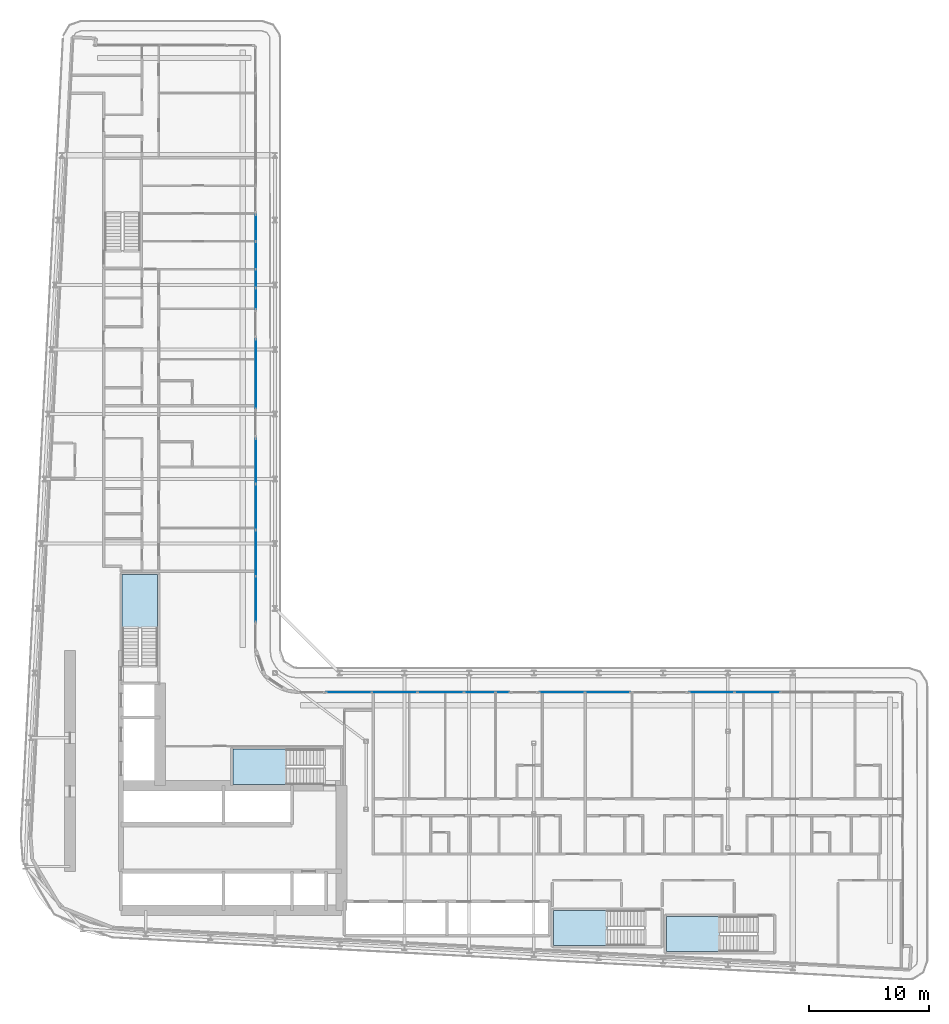
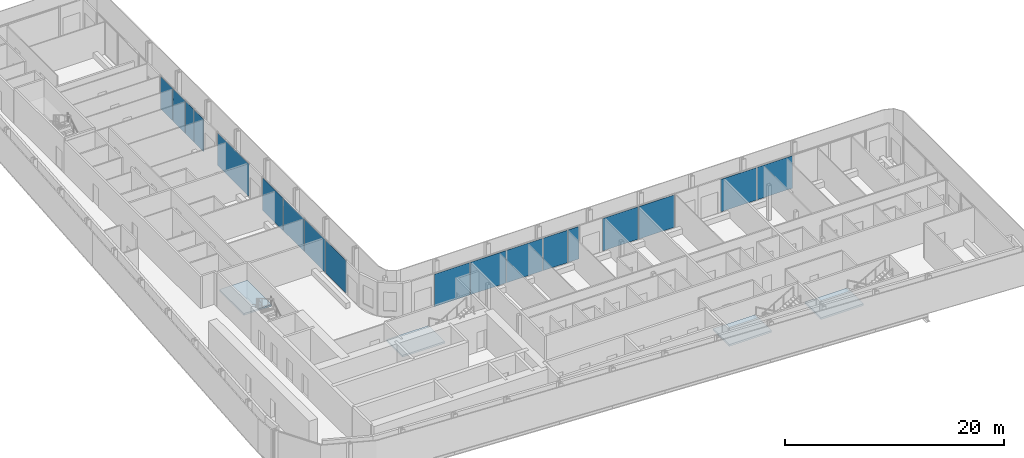
# One storey, part 10 of 28: 18 plates, 4 slabs, 13 elements without a shape of their own.
"""IFC4 building model written with IfcOpenShell, lengths in metres."""

from ifc_helpers import new_model, si_unit, direction, frame, origin, origin_2d, place, context, subcontext, project, spatial, polyline, rectangle, outline, extrude, material, layer, layer_set, type_object, element, aggregate, save


model = new_model("IFC4")

# Units and contexts
model_context = context("Model", 3, precision=1e-05, world=origin(), true_north=direction((0.0, 1.0)))
body_context = subcontext(model_context, "Body", "Model", "MODEL_VIEW")
ifc_project = project(units=[si_unit("LENGTHUNIT", "METRE"), si_unit("AREAUNIT", "SQUARE_METRE"), si_unit("VOLUMEUNIT", "CUBIC_METRE"), si_unit("PLANEANGLEUNIT", "RADIAN"), si_unit("MASSUNIT", "GRAM", prefix="KILO")], contexts=[model_context])

# Site, building, storey
site_placement = place(None, origin())
site = spatial("IfcSite", under=ifc_project, at=site_placement, CompositionType="ELEMENT")
building_placement = place(site_placement, origin())
building = spatial("IfcBuilding", under=site, at=building_placement, Name="Kheshtan School and Residences Tower", CompositionType="ELEMENT")
storey_placement = place(building_placement, frame((0.0, 0.0, 140.89990234375)))
storey = spatial("IfcBuildingStorey", under=building, at=storey_placement, Name="L33", CompositionType="ELEMENT", Elevation=140.89990234375)

# Curtain wall, plates
ifc_material_1 = material(Name="Clear low-e glass in thermally broken aluminium frame", Category="aluminium")
ifc_layer_1 = layer(ifc_material_1, 0.199951171875)
ifc_layer_set_1 = layer_set([ifc_layer_1], Name="Curtain wall CW-L")
curtain_wall_type = type_object("IfcCurtainWallType", Name="Curtain wall CW-L", PredefinedType="NOTDEFINED", material=ifc_layer_set_1)
curtain_wall_1_placement = place(storey_placement, origin())
curtain_wall_1 = element("IfcCurtainWall", 1, at=curtain_wall_1_placement, inside=storey, type_object=curtain_wall_type, Name="Curtain wall CWL8b", PredefinedType="NOTDEFINED")
ifc_layer_2 = layer(ifc_material_1, 0.031982421875)
ifc_layer_set_2 = layer_set([ifc_layer_2], Name="CW-L glass panel")
plate_type = type_object("IfcPlateType", Name="CW-L glass panel", PredefinedType="CURTAIN_PANEL", material=ifc_layer_set_2)
plate_1_placement = place(storey_placement, frame((46.0, 82.75048828125, 0.000244140625), z_axis=(0.0, 0.0, 1.0), x_axis=(0.0, -1.0, 0.0)))
plate_1 = element("IfcPlate", 2, at=plate_1_placement, type_object=plate_type, Name="CWL8b panel 1.1", PredefinedType="CURTAIN_PANEL", context=body_context, shape_type="SweptSolid", body=[
    extrude(rectangle(XDim=2.19091796875, YDim=0.031982421875, at=origin_2d()), origin(), (0.0, 0.0, 1.0), 3.6298828125),
])
plate_2_placement = place(storey_placement, frame((46.0, 80.46240234375, 0.000244140625), z_axis=(0.0, 0.0, 1.0), x_axis=(0.0, -1.0, 0.0)))
plate_2 = element("IfcPlate", 3, at=plate_2_placement, type_object=plate_type, Name="CWL8b panel 2.1", PredefinedType="CURTAIN_PANEL", context=body_context, shape_type="SweptSolid", body=[
    extrude(rectangle(XDim=2.264892578125, YDim=0.031982421875, at=origin_2d()), origin(), (0.0, 0.0, 1.0), 3.6298828125),
])
plate_3_placement = place(storey_placement, frame((46.0, 78.52099609375, 0.000244140625), z_axis=(0.0, 0.0, 1.0), x_axis=(0.0, -1.0, 0.0)))
plate_3 = element("IfcPlate", 4, at=plate_3_placement, type_object=plate_type, Name="CWL8b panel 3.1", PredefinedType="CURTAIN_PANEL", context=body_context, shape_type="SweptSolid", body=[
    extrude(rectangle(XDim=1.498046875, YDim=0.031982421875, at=origin_2d()), origin(), (0.0, 0.0, 1.0), 3.6298828125),
])
aggregate(curtain_wall_1, [plate_1, plate_2, plate_3])

# Curtain wall, plate
curtain_wall_2_placement = place(storey_placement, origin())
curtain_wall_2 = element("IfcCurtainWall", 5, at=curtain_wall_2_placement, inside=storey, type_object=curtain_wall_type, Name="Curtain wall CWL8e", PredefinedType="NOTDEFINED")
plate_4_placement = place(storey_placement, frame((46.0, 76.842041015625, 0.000244140625), z_axis=(0.0, 0.0, 1.0), x_axis=(0.0, -1.0, 0.0)))
plate_4 = element("IfcPlate", 6, at=plate_4_placement, type_object=plate_type, Name="CWL8e panel 1.1", PredefinedType="CURTAIN_PANEL", context=body_context, shape_type="SweptSolid", body=[
    extrude(rectangle(XDim=1.739990234375, YDim=0.031982421875, at=origin_2d()), origin(), (0.0, 0.0, 1.0), 3.6298828125),
])
aggregate(curtain_wall_2, [plate_4])

curtain_wall_3_placement = place(storey_placement, origin())
curtain_wall_3 = element("IfcCurtainWall", 7, at=curtain_wall_3_placement, inside=storey, type_object=curtain_wall_type, Name="Curtain wall CWL8f", PredefinedType="NOTDEFINED")
plate_5_placement = place(storey_placement, frame((46.0, 70.56494140625, 0.000244140625), z_axis=(0.0, 0.0, 1.0), x_axis=(0.0, -1.0, 0.0)))
plate_5 = element("IfcPlate", 8, at=plate_5_placement, type_object=plate_type, Name="CWL8f panel 1.1", PredefinedType="CURTAIN_PANEL", context=body_context, shape_type="SweptSolid", body=[
    extrude(rectangle(XDim=5.77392578125, YDim=0.031982421875, at=origin_2d()), origin(), (0.0, 0.0, 1.0), 3.6298828125),
])
aggregate(curtain_wall_3, [plate_5])

# Curtain wall, plates
curtain_wall_4_placement = place(storey_placement, origin())
curtain_wall_4 = element("IfcCurtainWall", 9, at=curtain_wall_4_placement, inside=storey, type_object=curtain_wall_type, Name="Curtain wall CWL8", PredefinedType="NOTDEFINED")
plate_6_placement = place(storey_placement, frame((46.0, 63.279541015625, 0.000244140625), z_axis=(0.0, 0.0, 1.0), x_axis=(0.0, -1.0, 0.0)))
plate_6 = element("IfcPlate", 10, at=plate_6_placement, type_object=plate_type, Name="CWL8 panel 1.1", PredefinedType="CURTAIN_PANEL", context=body_context, shape_type="SweptSolid", body=[
    extrude(rectangle(XDim=3.757080078125, YDim=0.031982421875, at=origin_2d()), origin(), (0.0, 0.0, 1.0), 3.6298828125),
])
plate_7_placement = place(storey_placement, frame((46.0, 59.46240234375, 0.000244140625), z_axis=(0.0, 0.0, 1.0), x_axis=(0.0, -1.0, 0.0)))
plate_7 = element("IfcPlate", 11, at=plate_7_placement, type_object=plate_type, Name="CWL8 panel 2.1", PredefinedType="CURTAIN_PANEL", context=body_context, shape_type="SweptSolid", body=[
    extrude(rectangle(XDim=3.757080078125, YDim=0.031982421875, at=origin_2d()), origin(), (0.0, 0.0, 1.0), 3.6298828125),
])
aggregate(curtain_wall_4, [plate_6, plate_7])

curtain_wall_5_placement = place(storey_placement, origin())
curtain_wall_5 = element("IfcCurtainWall", 12, at=curtain_wall_5_placement, inside=storey, type_object=curtain_wall_type, Name="Curtain wall CWL8", PredefinedType="NOTDEFINED")
plate_8_placement = place(storey_placement, frame((46.0, 55.615478515625, 0.000244140625), z_axis=(0.0, 0.0, 1.0), x_axis=(0.0, -1.0, 0.0)))
plate_8 = element("IfcPlate", 13, at=plate_8_placement, type_object=plate_type, Name="CWL8 panel 1.1", PredefinedType="CURTAIN_PANEL", context=body_context, shape_type="SweptSolid", body=[
    extrude(rectangle(XDim=3.81689453125, YDim=0.031982421875, at=origin_2d()), origin(), (0.0, 0.0, 1.0), 3.6298828125),
])
plate_9_placement = place(storey_placement, frame((46.0, 51.7685546875, 0.000244140625), z_axis=(0.0, 0.0, 1.0), x_axis=(0.0, -1.0, 0.0)))
plate_9 = element("IfcPlate", 14, at=plate_9_placement, type_object=plate_type, Name="CWL8 panel 2.1", PredefinedType="CURTAIN_PANEL", context=body_context, shape_type="SweptSolid", body=[
    extrude(rectangle(XDim=3.757080078125, YDim=0.031982421875, at=origin_2d()), origin(), (0.0, 0.0, 1.0), 3.6298828125),
])
aggregate(curtain_wall_5, [plate_8, plate_9])

curtain_wall_6_placement = place(storey_placement, origin())
curtain_wall_6 = element("IfcCurtainWall", 15, at=curtain_wall_6_placement, inside=storey, type_object=curtain_wall_type, Name="Curtain wall CWL12j", PredefinedType="NOTDEFINED")
plate_10_placement = place(storey_placement, frame((53.7685546875, 44.0, 0.000244140625), z_axis=(0.0, 0.0, 1.0), x_axis=(1.0, 0.0, 0.0)))
plate_10 = element("IfcPlate", 16, at=plate_10_placement, type_object=plate_type, Name="CWL12j panel 1.1", PredefinedType="CURTAIN_PANEL", context=body_context, shape_type="SweptSolid", body=[
    extrude(rectangle(XDim=3.757080078125, YDim=0.031982421875, at=origin_2d()), origin(), (0.0, 0.0, 1.0), 3.6298828125),
])
plate_11_placement = place(storey_placement, frame((57.58544921875, 44.0, 0.000244140625), z_axis=(0.0, 0.0, 1.0), x_axis=(1.0, 0.0, 0.0)))
plate_11 = element("IfcPlate", 17, at=plate_11_placement, type_object=plate_type, Name="CWL12j panel 2.1", PredefinedType="CURTAIN_PANEL", context=body_context, shape_type="SweptSolid", body=[
    extrude(rectangle(XDim=3.757080078125, YDim=0.031982421875, at=origin_2d()), origin(), (0.0, 0.0, 1.0), 3.6298828125),
])
aggregate(curtain_wall_6, [plate_10, plate_11])

curtain_wall_7_placement = place(storey_placement, origin())
curtain_wall_7 = element("IfcCurtainWall", 18, at=curtain_wall_7_placement, inside=storey, type_object=curtain_wall_type, Name="Curtain wall CWL12k", PredefinedType="NOTDEFINED")
plate_12_placement = place(storey_placement, frame((61.4326171875, 44.0, 0.000244140625), z_axis=(0.0, 0.0, 1.0), x_axis=(1.0, 0.0, 0.0)))
plate_12 = element("IfcPlate", 19, at=plate_12_placement, type_object=plate_type, Name="CWL12k panel 1.1", PredefinedType="CURTAIN_PANEL", context=body_context, shape_type="SweptSolid", body=[
    extrude(rectangle(XDim=3.81689453125, YDim=0.031982421875, at=origin_2d()), origin(), (0.0, 0.0, 1.0), 3.6298828125),
])
plate_13_placement = place(storey_placement, frame((64.685546875, 44.0, 0.000244140625), z_axis=(0.0, 0.0, 1.0), x_axis=(1.0, 0.0, 0.0)))
plate_13 = element("IfcPlate", 20, at=plate_13_placement, type_object=plate_type, Name="CWL12k panel 2.1", PredefinedType="CURTAIN_PANEL", context=body_context, shape_type="SweptSolid", body=[
    extrude(rectangle(XDim=2.569091796875, YDim=0.031982421875, at=origin_2d()), origin(), (0.0, 0.0, 1.0), 3.6298828125),
])
plate_14_placement = place(storey_placement, frame((66.593994140625, 44.0, 0.000244140625), z_axis=(0.0, 0.0, 1.0), x_axis=(1.0, 0.0, 0.0)))
plate_14 = element("IfcPlate", 21, at=plate_14_placement, type_object=plate_type, Name="CWL12k panel 3.1", PredefinedType="CURTAIN_PANEL", context=body_context, shape_type="SweptSolid", body=[
    extrude(rectangle(XDim=1.1279296875, YDim=0.031982421875, at=origin_2d()), origin(), (0.0, 0.0, 1.0), 3.6298828125),
])
aggregate(curtain_wall_7, [plate_12, plate_13, plate_14])

curtain_wall_8_placement = place(storey_placement, origin())
curtain_wall_8 = element("IfcCurtainWall", 22, at=curtain_wall_8_placement, inside=storey, type_object=curtain_wall_type, Name="Curtain wall CWL12j", PredefinedType="NOTDEFINED")
plate_15_placement = place(storey_placement, frame((71.556396484375, 44.0, 0.000244140625), z_axis=(0.0, 0.0, 1.0), x_axis=(1.0, 0.0, 0.0)))
plate_15 = element("IfcPlate", 23, at=plate_15_placement, type_object=plate_type, Name="CWL12j panel 1.1", PredefinedType="CURTAIN_PANEL", context=body_context, shape_type="SweptSolid", body=[
    extrude(rectangle(XDim=3.757080078125, YDim=0.031982421875, at=origin_2d()), origin(), (0.0, 0.0, 1.0), 3.6298828125),
])
plate_16_placement = place(storey_placement, frame((75.37353515625, 44.0, 0.000244140625), z_axis=(0.0, 0.0, 1.0), x_axis=(1.0, 0.0, 0.0)))
plate_16 = element("IfcPlate", 24, at=plate_16_placement, type_object=plate_type, Name="CWL12j panel 2.1", PredefinedType="CURTAIN_PANEL", context=body_context, shape_type="SweptSolid", body=[
    extrude(rectangle(XDim=3.757080078125, YDim=0.031982421875, at=origin_2d()), origin(), (0.0, 0.0, 1.0), 3.6298828125),
])
aggregate(curtain_wall_8, [plate_15, plate_16])

curtain_wall_9_placement = place(storey_placement, origin())
curtain_wall_9 = element("IfcCurtainWall", 25, at=curtain_wall_9_placement, inside=storey, type_object=curtain_wall_type, Name="Curtain wall CWL12j", PredefinedType="NOTDEFINED")
plate_17_placement = place(storey_placement, frame((84.050537109375, 44.0, 0.000244140625), z_axis=(0.0, 0.0, 1.0), x_axis=(1.0, 0.0, 0.0)))
plate_17 = element("IfcPlate", 26, at=plate_17_placement, type_object=plate_type, Name="CWL12j panel 1.1", PredefinedType="CURTAIN_PANEL", context=body_context, shape_type="SweptSolid", body=[
    extrude(rectangle(XDim=3.757080078125, YDim=0.031982421875, at=origin_2d()), origin(), (0.0, 0.0, 1.0), 3.6298828125),
])
plate_18_placement = place(storey_placement, frame((87.867431640625, 44.0, 0.000244140625), z_axis=(0.0, 0.0, 1.0), x_axis=(1.0, 0.0, 0.0)))
plate_18 = element("IfcPlate", 27, at=plate_18_placement, type_object=plate_type, Name="CWL12j panel 2.1", PredefinedType="CURTAIN_PANEL", context=body_context, shape_type="SweptSolid", body=[
    extrude(rectangle(XDim=3.757080078125, YDim=0.031982421875, at=origin_2d()), origin(), (0.0, 0.0, 1.0), 3.6298828125),
])
aggregate(curtain_wall_9, [plate_17, plate_18])

# Stair, slab
ifc_material_2 = material(Name="Concrete C40/50", Category="concrete")
stair_type = type_object("IfcStairType", Name="Exit stair, half-turn", PredefinedType="HALF_TURN_STAIR", material=ifc_material_2)
stair_1_placement = place(storey_placement, origin())
stair_1 = element("IfcStair", 28, at=stair_1_placement, inside=storey, type_object=stair_type, Name="L33 Protected Exit Stair ST1", PredefinedType="HALF_TURN_STAIR")
ifc_layer_3 = layer(ifc_material_2, 0.199951171875)
ifc_layer_set_3 = layer_set([ifc_layer_3], Name="Stair landing 200 Concrete C40/50")
slab_type = type_object("IfcSlabType", Name="Stair landing 200 Concrete C40/50", PredefinedType="LANDING", material=ifc_layer_set_3)
slab_1_placement = place(storey_placement, frame((0.0, 0.0, 1.75)))
slab_1 = element("IfcSlab", 29, at=slab_1_placement, type_object=slab_type, Name="ST1 landing 1", PredefinedType="LANDING", context=body_context, shape_type="SweptSolid", body=[
    extrude(outline(polyline([(48.570068359375, 39.25), (44.090087890625, 39.25), (44.090087890625, 36.300048828125), (48.570068359375, 36.300048828125), (48.570068359375, 39.25)])), origin(), (0.0, 0.0, 1.0), 0.2001953125),
])
aggregate(stair_1, [slab_1])

stair_2_placement = place(storey_placement, origin())
stair_2 = element("IfcStair", 30, at=stair_2_placement, inside=storey, type_object=stair_type, Name="L33 Protected Exit Stair ST2", PredefinedType="HALF_TURN_STAIR")
slab_2_placement = place(storey_placement, frame((0.0, 0.0, 1.75)))
slab_2 = element("IfcSlab", 31, at=slab_2_placement, type_object=slab_type, Name="ST2 landing 1", PredefinedType="LANDING", context=body_context, shape_type="SweptSolid", body=[
    extrude(outline(polyline([(37.800048828125, 49.330078125), (37.800048828125, 53.81005859375), (34.85009765625, 53.81005859375), (34.85009765625, 49.330078125), (37.800048828125, 49.330078125)])), origin(), (0.0, 0.0, 1.0), 0.2001953125),
])
aggregate(stair_2, [slab_2])

stair_3_placement = place(storey_placement, origin())
stair_3 = element("IfcStair", 32, at=stair_3_placement, inside=storey, type_object=stair_type, Name="L33 Protected Exit Stair ST4", PredefinedType="HALF_TURN_STAIR")
slab_3_placement = place(storey_placement, frame((0.0, 0.0, 1.75)))
slab_3 = element("IfcSlab", 33, at=slab_3_placement, type_object=slab_type, Name="ST4 landing 1", PredefinedType="LANDING", context=body_context, shape_type="SweptSolid", body=[
    extrude(outline(polyline([(84.739990234375, 25.300048828125), (80.260009765625, 25.300048828125), (80.260009765625, 22.35009765625), (84.739990234375, 22.35009765625), (84.739990234375, 25.300048828125)])), origin(), (0.0, 0.0, 1.0), 0.2001953125),
])
aggregate(stair_3, [slab_3])

stair_4_placement = place(storey_placement, origin())
stair_4 = element("IfcStair", 34, at=stair_4_placement, inside=storey, type_object=stair_type, Name="L33 Protected Exit Stair ST5", PredefinedType="HALF_TURN_STAIR")
slab_4_placement = place(storey_placement, frame((0.0, 0.0, 1.75)))
slab_4 = element("IfcSlab", 35, at=slab_4_placement, type_object=slab_type, Name="ST5 landing 1", PredefinedType="LANDING", context=body_context, shape_type="SweptSolid", body=[
    extrude(outline(polyline([(75.330078125, 25.800048828125), (70.85009765625, 25.800048828125), (70.85009765625, 22.85009765625), (75.330078125, 22.85009765625), (75.330078125, 25.800048828125)])), origin(), (0.0, 0.0, 1.0), 0.2001953125),
])
aggregate(stair_4, [slab_4])

save(model, "model.ifc")
